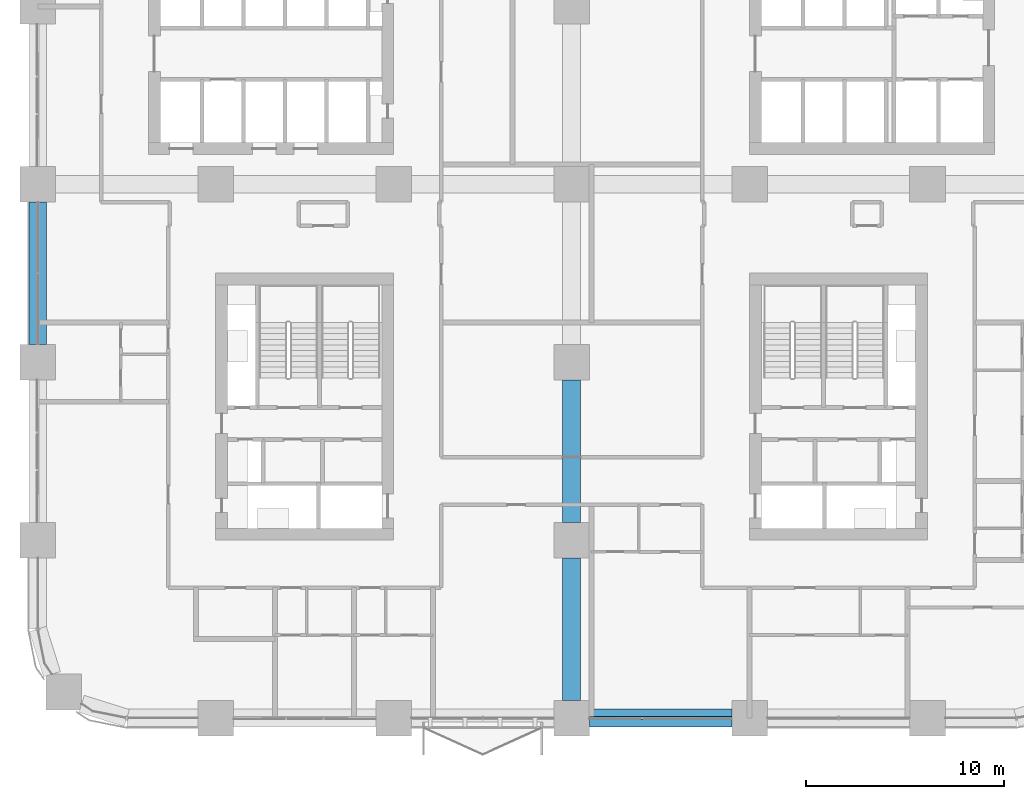
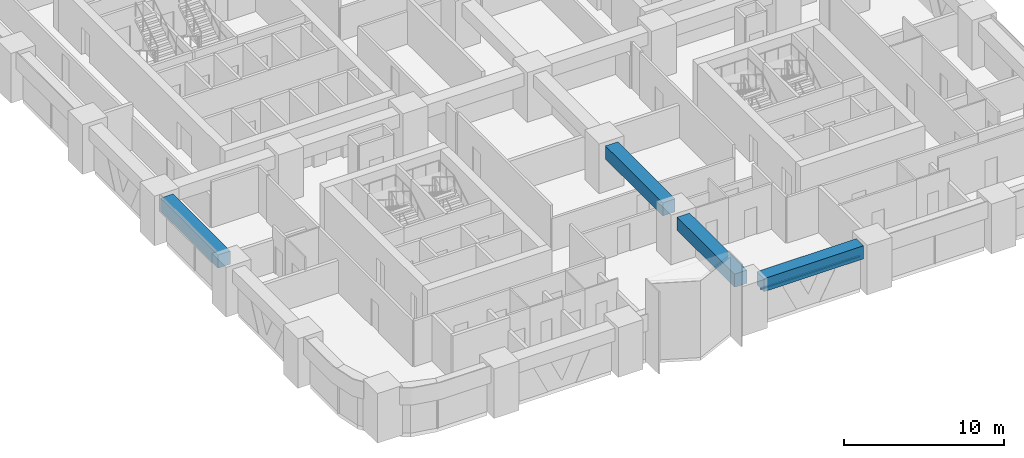
# One storey, part 3 of 24: 4 beams, 1 member, 1 element without a shape of its own.
"""IFC4 building model written with IfcOpenShell, lengths in metres."""

from ifc_helpers import new_model, si_unit, direction, frame, origin, origin_2d, place, context, subcontext, project, spatial, rectangle, extrude, material, material_profile, profile_set, type_object, element, aggregate, save


model = new_model("IFC4")

# Units and contexts
model_context = context("Model", 3, precision=1e-05, world=origin(), true_north=direction((0.0, 1.0)))
body_context = subcontext(model_context, "Body", "Model", "MODEL_VIEW")
ifc_project = project(units=[si_unit("LENGTHUNIT", "METRE"), si_unit("AREAUNIT", "SQUARE_METRE"), si_unit("VOLUMEUNIT", "CUBIC_METRE"), si_unit("PLANEANGLEUNIT", "RADIAN"), si_unit("MASSUNIT", "GRAM", prefix="KILO")], contexts=[model_context])

# Site, building, storey
site_placement = place(None, origin())
site = spatial("IfcSite", under=ifc_project, at=site_placement, CompositionType="ELEMENT")
building_placement = place(site_placement, origin())
building = spatial("IfcBuilding", under=site, at=building_placement, Name="Tessera Arch", CompositionType="ELEMENT")
storey_placement = place(building_placement, frame((0.0, 0.0, 38.60009765625)))
storey = spatial("IfcBuildingStorey", under=building, at=storey_placement, Name="L07", CompositionType="ELEMENT", Elevation=38.60009765625)

# Curtain wall, member
ifc_material_1 = material(Name="CW3 curtain wall")
curtain_wall_type = type_object("IfcCurtainWallType", Name="CW3 curtain wall", PredefinedType="NOTDEFINED", material=ifc_material_1)
curtain_wall_placement = place(storey_placement, origin())
curtain_wall = element("IfcCurtainWall", 1, at=curtain_wall_placement, inside=storey, type_object=curtain_wall_type, Name="CW3 curtain wall S0.0/2 L07", PredefinedType="NOTDEFINED")
ifc_material_2 = material(Name="Anodised aluminium pale metal", Category="aluminium")
ifc_material_profile_1 = material_profile(ifc_material_2, rectangle(XDim=0.139892578125, YDim=0.10009765625, at=origin_2d()), Name="AL 140x100")
ifc_profile_set_1 = profile_set([ifc_material_profile_1], Name="Anodised aluminium pale metal")
member_type = type_object("IfcMemberType", Name="CW3 transom", PredefinedType="USERDEFINED", material=ifc_profile_set_1)
member_placement = place(storey_placement, frame((27.89990234375, 0.0, 2.449951171875), z_axis=(1.0, 0.0, 0.0), x_axis=(0.0, 1.0, 0.0)))
member = element("IfcMember", 2, at=member_placement, type_object=member_type, Name="CW3 transom S0.0/2 1.1", ObjectType="TRANSOM", PredefinedType="USERDEFINED", context=body_context, shape_type="SweptSolid", body=[
    extrude(rectangle(XDim=0.139892578125, YDim=0.10009765625, at=origin_2d()), origin(), (0.0, 0.0, 1.0), 7.2001953125),
])
aggregate(curtain_wall, [member])

# Beams
ifc_material_3 = material(Name="Concrete C80/95", Category="concrete")
ifc_material_profile_2 = material_profile(ifc_material_3, rectangle(XDim=0.89990234375, YDim=1.0, at=origin_2d()), Name="RC spandrel beam 900 x 1000 Concrete C80/95")
ifc_profile_set_2 = profile_set([ifc_material_profile_2], Name="Concrete C80/95")
beam_type = type_object("IfcBeamType", Name="RC spandrel beam 900 x 1000 Concrete C80/95", PredefinedType="BEAM", material=ifc_profile_set_2)
for number, where, z_axis, x_axis, name in (
    (3, (27.89990234375, 0.0, 3.0), (1.0, 0.0, 0.0), (0.0, 1.0, 0.0), "Spandrel beam L07 S0.0/2"),
    (4, (0.0, 26.10009765625, 3.0), (0.0, -1.0, 0.0), (1.0, 0.0, 0.0), "Spandrel beam L07 W0.0/3"),
    (5, (27.0, 0.89990234375, 3.0), (0.0, 1.0, 0.0), (-1.0, 0.0, 0.0), "Interface beam L07 I0C4A-C4B"),
    (6, (27.0, 9.89990234375, 3.0), (0.0, 1.0, 0.0), (-1.0, 0.0, 0.0), "Interface beam L07 I0C4B-C4C"),
):
    element("IfcBeam", number, at=place(storey_placement, frame(where, z_axis=z_axis, x_axis=x_axis)), inside=storey, type_object=beam_type, Name=name, PredefinedType="BEAM", context=body_context, shape_type="SweptSolid", body=[
        extrude(rectangle(XDim=0.89990234375, YDim=1.0, at=origin_2d()), origin(), (0.0, 0.0, 1.0), 7.2001953125),
    ])

save(model, "model.ifc")
